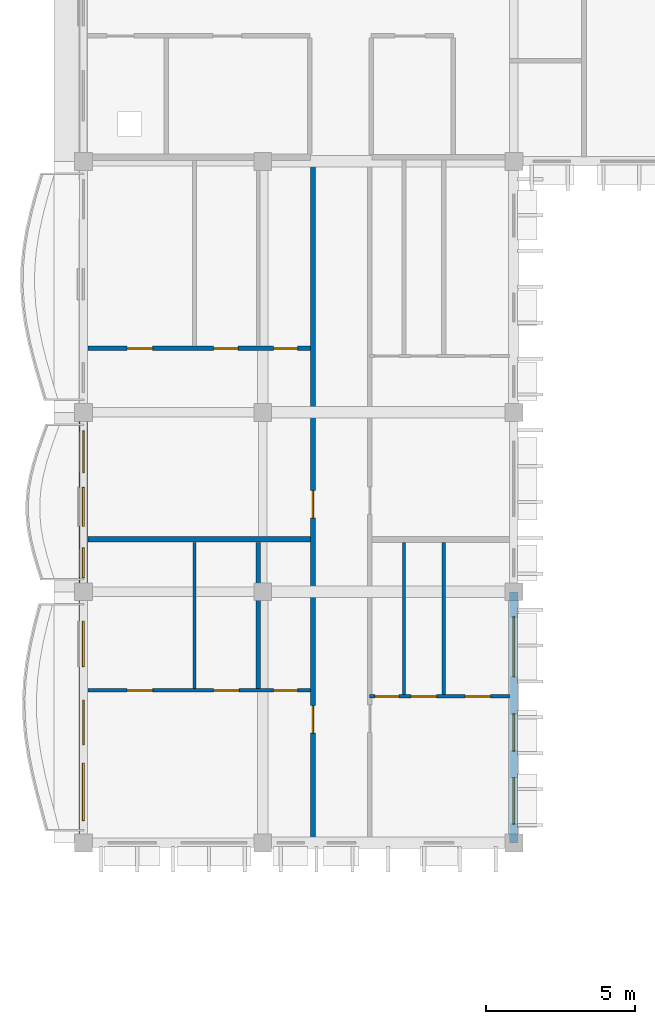
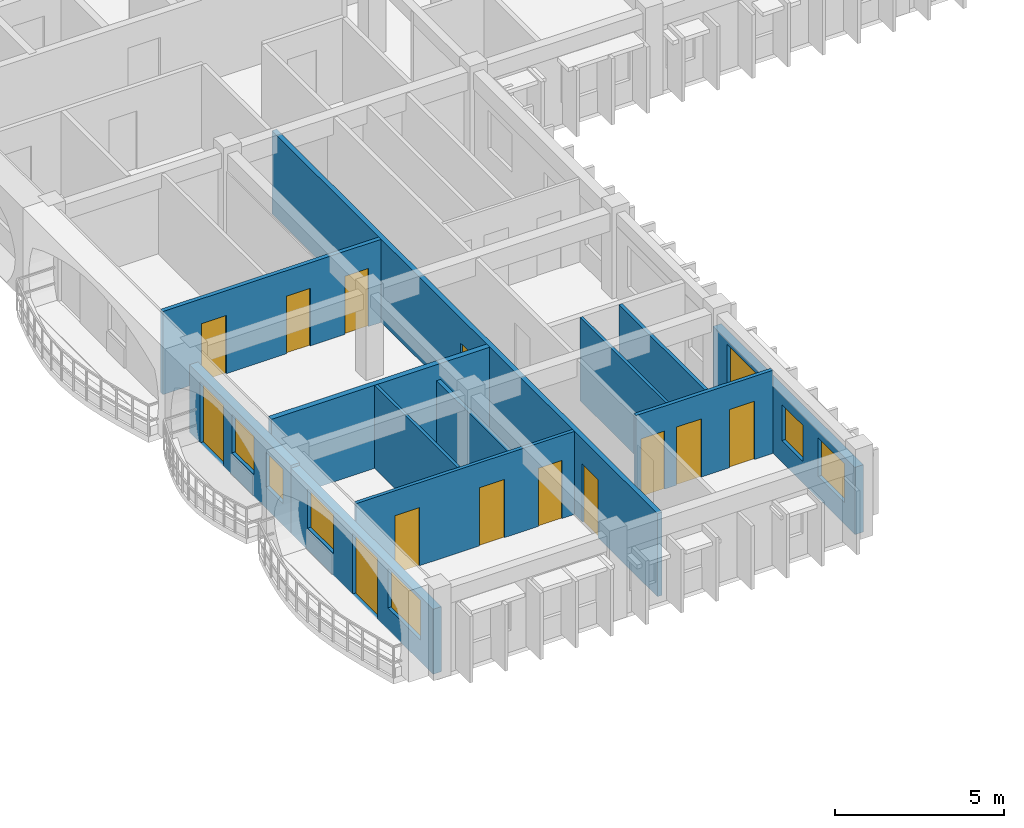
# One storey, part 17 of 59: 13 doors, 12 walls, 7 windows, 20 openings.
"""IFC4 building model written with IfcOpenShell, lengths in metres."""

from ifc_helpers import new_model, si_unit, direction, frame, frame_2d, origin, place, context, subcontext, project, spatial, rectangle, extrude, material, layer, layer_set, type_object, element, fill, save


model = new_model("IFC4")

# Units and contexts
model_context = context("Model", 3, precision=1e-05, world=origin(), true_north=direction((0.0, 1.0)))
body_context = subcontext(model_context, "Body", "Model", "MODEL_VIEW")
ifc_project = project(units=[si_unit("LENGTHUNIT", "METRE"), si_unit("AREAUNIT", "SQUARE_METRE"), si_unit("VOLUMEUNIT", "CUBIC_METRE"), si_unit("PLANEANGLEUNIT", "RADIAN"), si_unit("MASSUNIT", "GRAM", prefix="KILO"), si_unit("THERMODYNAMICTEMPERATUREUNIT", "KELVIN")], contexts=[model_context])

# Site, building, storey
site_placement = place(None, origin())
site = spatial("IfcSite", under=ifc_project, at=site_placement, CompositionType="ELEMENT")
building_placement = place(site_placement, origin())
building = spatial("IfcBuilding", under=site, at=building_placement, Name="Thalorik Housing Commons", CompositionType="ELEMENT")
storey_placement = place(building_placement, frame((0.0, 0.0, 27.89990234375)))
storey = spatial("IfcBuildingStorey", under=building, at=storey_placement, Name="L08", CompositionType="ELEMENT", Elevation=27.89990234375)

# Wall, openings, doors
ifc_material_1 = material(Name="Masonry fire-rated corridor wall", Category="masonry")
ifc_layer_1 = layer(ifc_material_1, 0.1650390625, Name="Masonry fire-rated corridor wall", Category="masonry")
ifc_layer_set_1 = layer_set([ifc_layer_1], Name="Masonry fire-rated corridor wall")
wall_type_1 = type_object("IfcWallType", Name="ARC-WAL-CORR-165", PredefinedType="PARTITIONING", material=ifc_layer_set_1)
wall_1_placement = place(storey_placement, frame((16.080078125, 86.547119140625, 0.0), z_axis=(0.0, 0.0, 1.0), x_axis=(0.0, 1.0, 0.0)))
wall_1 = element("IfcWall", 1, at=wall_1_placement, inside=storey, type_object=wall_type_1, Name="L08 Block A W Corridor Wall 1", PredefinedType="PARTITIONING", context=body_context, shape_type="SweptSolid", body=[
    extrude(rectangle(XDim=22.79296875, YDim=0.1650390625, at=frame_2d((11.396484375, 0.0))), origin(), (0.0, 0.0, 1.0), 3.0),
])
opening_1_placement = place(wall_1_placement, frame((3.52392578125, 0.0, 0.0)))
opening_1 = element("IfcOpeningElement", 2, at=opening_1_placement, cuts=wall_1, Name="Opening ID-0761", PredefinedType="OPENING", context=body_context, shape_type="SweptSolid", body=[
    extrude(rectangle(XDim=0.919921875, YDim=2.10009765625, at=frame_2d((0.4599609375, 1.050048828125))), frame((0.0, 0.092529296875, 0.0), z_axis=(0.0, -1.0, 0.0), x_axis=(1.0, 0.0, 0.0)), (0.0, 0.0, 1.0), 0.18505859375),
])
opening_2_placement = place(wall_1_placement, frame((10.7158203125, 0.0, 0.0)))
opening_2 = element("IfcOpeningElement", 3, at=opening_2_placement, cuts=wall_1, Name="Opening ID-0762", PredefinedType="OPENING", context=body_context, shape_type="SweptSolid", body=[
    extrude(rectangle(XDim=0.919921875, YDim=2.10009765625, at=frame_2d((0.4599609375, 1.050048828125))), frame((0.0, 0.092529296875, 0.0), z_axis=(0.0, -1.0, 0.0), x_axis=(1.0, 0.0, 0.0)), (0.0, 0.0, 1.0), 0.18505859375),
])
ifc_material_2 = material(Name="Solid core hardwood timber", Category="wood")
door_type_1 = type_object("IfcDoorType", Name="ARC-DR-FD30-920", OperationType="NOTDEFINED", PredefinedType="DOOR", material=ifc_material_2)
door_1_placement = place(opening_1_placement, origin())
door_1 = element("IfcDoor", 4, at=door_1_placement, inside=storey, type_object=door_type_1, Name="L08 Flat AW-1A Entrance Door", OperationType="SINGLE_SWING_RIGHT", OverallHeight=2.10009765625, OverallWidth=0.919921875, PredefinedType="DOOR", context=body_context, shape_type="SweptSolid", body=[
    extrude(rectangle(XDim=0.919921875, YDim=2.10009765625, at=frame_2d((0.4599609375, 1.050048828125))), frame((0.0, 0.02490234375, 0.0), z_axis=(0.0, -1.0, 0.0), x_axis=(1.0, 0.0, 0.0)), (0.0, 0.0, 1.0), 0.050048828125),
])
fill(opening_1, door_1)
door_2_placement = place(opening_2_placement, origin())
door_2 = element("IfcDoor", 5, at=door_2_placement, inside=storey, type_object=door_type_1, Name="L08 Flat AW-2A Entrance Door", OperationType="SINGLE_SWING_LEFT", OverallHeight=2.10009765625, OverallWidth=0.919921875, PredefinedType="DOOR", context=body_context, shape_type="SweptSolid", body=[
    extrude(rectangle(XDim=0.919921875, YDim=2.10009765625, at=frame_2d((0.4599609375, 1.050048828125))), frame((0.0, 0.02490234375, 0.0), z_axis=(0.0, -1.0, 0.0), x_axis=(1.0, 0.0, 0.0)), (0.0, 0.0, 1.0), 0.050048828125),
])
fill(opening_2, door_2)

# Wall, openings, door, windows
ifc_material_3 = material(Name="White precast concrete C40/50", Category="concrete")
ifc_layer_2 = layer(ifc_material_3, 0.2900390625, Name="White precast concrete C40/50", Category="concrete")
ifc_layer_set_2 = layer_set([ifc_layer_2], Name="White precast concrete C40/50")
wall_type_2 = type_object("IfcWallType", Name="ARC-WAL-EXT-290", PredefinedType="STANDARD", material=ifc_layer_set_2)
wall_2_placement = place(storey_placement, frame((8.39990234375, 100.800048828125, 0.0), z_axis=(0.0, 0.0, 1.0), x_axis=(0.0, -1.0, 0.0)))
wall_2 = element("IfcWall", 6, at=wall_2_placement, inside=storey, type_object=wall_type_2, Name="L08 Exterior Wall WAL-EXT-L08-A-0228", PredefinedType="STANDARD", context=body_context, shape_type="SweptSolid", body=[
    extrude(rectangle(XDim=6.0, YDim=0.2900390625, at=frame_2d((3.0, 0.0))), origin(), (0.0, 0.0, 1.0), 2.445068359375),
])
opening_3_placement = place(wall_2_placement, frame((0.6201171875, 0.0, 0.0)))
opening_3 = element("IfcOpeningElement", 7, at=opening_3_placement, cuts=wall_2, Name="Opening ED-0073", PredefinedType="OPENING", context=body_context, shape_type="SweptSolid", body=[
    extrude(rectangle(XDim=1.39990234375, YDim=2.199951171875, at=frame_2d((0.699951171875, 1.10009765625))), frame((0.0, 0.155029296875, 0.0), z_axis=(0.0, -1.0, 0.0), x_axis=(1.0, 0.0, 0.0)), (0.0, 0.0, 1.0), 0.31005859375),
])
opening_4_placement = place(wall_2_placement, frame((2.510009765625, 0.0, 0.780029296875)))
opening_4 = element("IfcOpeningElement", 8, at=opening_4_placement, cuts=wall_2, Name="Opening W-06", PredefinedType="OPENING", context=body_context, shape_type="SweptSolid", body=[
    extrude(rectangle(XDim=1.300048828125, YDim=1.39990234375, at=frame_2d((0.64990234375, 0.699951171875))), frame((0.0, 0.155029296875, 0.0), z_axis=(0.0, -1.0, 0.0), x_axis=(1.0, 0.0, 0.0)), (0.0, 0.0, 1.0), 0.31005859375),
])
opening_5_placement = place(wall_2_placement, frame((4.530029296875, 0.0, 0.780029296875)))
opening_5 = element("IfcOpeningElement", 9, at=opening_5_placement, cuts=wall_2, Name="Opening W-02", PredefinedType="OPENING", context=body_context, shape_type="SweptSolid", body=[
    extrude(rectangle(XDim=1.0, YDim=1.25, at=frame_2d((0.5, 0.625))), frame((0.0, 0.155029296875, 0.0), z_axis=(0.0, -1.0, 0.0), x_axis=(1.0, 0.0, 0.0)), (0.0, 0.0, 1.0), 0.31005859375),
])
ifc_material_4 = material(Name="Anodised aluminium and laminated safety glass", Category="aluminium")
door_type_2 = type_object("IfcDoorType", Name="ARC-DR-BAL-1400", OperationType="NOTDEFINED", PredefinedType="DOOR", material=ifc_material_4)
door_3_placement = place(opening_3_placement, frame((1.39990234375, 0.0, 0.0), z_axis=(0.0, 0.0, 1.0), x_axis=(-1.0, 0.0, 0.0)))
door_3 = element("IfcDoor", 10, at=door_3_placement, inside=storey, type_object=door_type_2, Name="L08 Block A Balcony Glazed Door", OperationType="SLIDING_TO_LEFT", OverallHeight=2.199951171875, OverallWidth=1.39990234375, PredefinedType="DOOR", context=body_context, shape_type="SweptSolid", body=[
    extrude(rectangle(XDim=1.39990234375, YDim=2.199951171875, at=frame_2d((0.699951171875, 1.10009765625))), frame((0.0, 0.02490234375, 0.0), z_axis=(0.0, -1.0, 0.0), x_axis=(1.0, 0.0, 0.0)), (0.0, 0.0, 1.0), 0.050048828125),
])
fill(opening_3, door_3)
ifc_material_5 = material(Name="Anodised aluminium and solar-control low-E glass", Category="aluminium")
window_type_1 = type_object("IfcWindowType", Name="ARC-WIN-02", PartitioningType="SINGLE_PANEL", PredefinedType="WINDOW", material=ifc_material_5)
window_1_placement = place(opening_5_placement, origin())
window_1 = element("IfcWindow", 11, at=window_1_placement, inside=storey, type_object=window_type_1, Name="L08 Facade Window 408", OverallHeight=1.25, OverallWidth=1.0, PartitioningType="SINGLE_PANEL", PredefinedType="WINDOW", context=body_context, shape_type="SweptSolid", body=[
    extrude(rectangle(XDim=1.0, YDim=1.25, at=frame_2d((0.5, 0.625))), frame((0.0, 0.030029296875, 0.0), z_axis=(0.0, -1.0, 0.0), x_axis=(1.0, 0.0, 0.0)), (0.0, 0.0, 1.0), 0.06005859375),
])
fill(opening_5, window_1)
window_type_2 = type_object("IfcWindowType", Name="ARC-WIN-06", PartitioningType="SINGLE_PANEL", PredefinedType="WINDOW", material=ifc_material_5)
window_2_placement = place(opening_4_placement, origin())
window_2 = element("IfcWindow", 12, at=window_2_placement, inside=storey, type_object=window_type_2, Name="L08 Facade Window 407", OverallHeight=1.39990234375, OverallWidth=1.300048828125, PartitioningType="SINGLE_PANEL", PredefinedType="WINDOW", context=body_context, shape_type="SweptSolid", body=[
    extrude(rectangle(XDim=1.300048828125, YDim=1.39990234375, at=frame_2d((0.64990234375, 0.699951171875))), frame((0.0, 0.030029296875, 0.0), z_axis=(0.0, -1.0, 0.0), x_axis=(1.0, 0.0, 0.0)), (0.0, 0.0, 1.0), 0.06005859375),
])
fill(opening_4, window_2)

wall_3_placement = place(storey_placement, frame((8.39990234375, 94.800048828125, 0.0), z_axis=(0.0, 0.0, 1.0), x_axis=(0.0, -1.0, 0.0)))
wall_3 = element("IfcWall", 13, at=wall_3_placement, inside=storey, type_object=wall_type_2, Name="L08 Exterior Wall WAL-EXT-L08-A-0229", PredefinedType="STANDARD", context=body_context, shape_type="SweptSolid", body=[
    extrude(rectangle(XDim=8.400146484375, YDim=0.2900390625, at=frame_2d((4.2001953125, 0.0))), origin(), (0.0, 0.0, 1.0), 2.34521484375),
])
opening_6_placement = place(wall_3_placement, frame((3.625, 0.0, 0.0)))
opening_6 = element("IfcOpeningElement", 14, at=opening_6_placement, cuts=wall_3, Name="Opening ED-0074", PredefinedType="OPENING", context=body_context, shape_type="SweptSolid", body=[
    extrude(rectangle(XDim=1.5, YDim=2.199951171875, at=frame_2d((0.75, 1.10009765625))), frame((0.0, 0.155029296875, 0.0), z_axis=(0.0, -1.0, 0.0), x_axis=(1.0, 0.0, 0.0)), (0.0, 0.0, 1.0), 0.31005859375),
])
opening_7_placement = place(wall_3_placement, frame((0.982421875, 0.0, 0.780029296875)))
opening_7 = element("IfcOpeningElement", 15, at=opening_7_placement, cuts=wall_3, Name="Opening W-52", PredefinedType="OPENING", context=body_context, shape_type="SweptSolid", body=[
    extrude(rectangle(XDim=1.52001953125, YDim=1.419921875, at=frame_2d((0.760009765625, 0.7099609375))), frame((0.0, 0.155029296875, 0.0), z_axis=(0.0, -1.0, 0.0), x_axis=(1.0, 0.0, 0.0)), (0.0, 0.0, 1.0), 0.31005859375),
])
opening_8_placement = place(wall_3_placement, frame((5.732421875, 0.0, 0.780029296875)))
opening_8 = element("IfcOpeningElement", 16, at=opening_8_placement, cuts=wall_3, Name="Opening W-60", PredefinedType="OPENING", context=body_context, shape_type="SweptSolid", body=[
    extrude(rectangle(XDim=1.919921875, YDim=1.43994140625, at=frame_2d((0.9599609375, 0.719970703125))), frame((0.0, 0.155029296875, 0.0), z_axis=(0.0, -1.0, 0.0), x_axis=(1.0, 0.0, 0.0)), (0.0, 0.0, 1.0), 0.31005859375),
])
door_type_3 = type_object("IfcDoorType", Name="ARC-DR-BAL-1500", OperationType="NOTDEFINED", PredefinedType="DOOR", material=ifc_material_4)
door_4_placement = place(opening_6_placement, frame((1.5, 0.0, 0.0), z_axis=(0.0, 0.0, 1.0), x_axis=(-1.0, 0.0, 0.0)))
door_4 = element("IfcDoor", 17, at=door_4_placement, inside=storey, type_object=door_type_3, Name="L08 Block A Balcony Glazed Door", OperationType="SLIDING_TO_RIGHT", OverallHeight=2.199951171875, OverallWidth=1.5, PredefinedType="DOOR", context=body_context, shape_type="SweptSolid", body=[
    extrude(rectangle(XDim=1.5, YDim=2.199951171875, at=frame_2d((0.75, 1.10009765625))), frame((0.0, 0.02490234375, 0.0), z_axis=(0.0, -1.0, 0.0), x_axis=(1.0, 0.0, 0.0)), (0.0, 0.0, 1.0), 0.050048828125),
])
fill(opening_6, door_4)
window_type_3 = type_object("IfcWindowType", Name="ARC-WIN-52", PartitioningType="SINGLE_PANEL", PredefinedType="WINDOW", material=ifc_material_5)
window_3_placement = place(opening_7_placement, origin())
window_3 = element("IfcWindow", 18, at=window_3_placement, inside=storey, type_object=window_type_3, Name="L08 Facade Window 409", OverallHeight=1.419921875, OverallWidth=1.52001953125, PartitioningType="SINGLE_PANEL", PredefinedType="WINDOW", context=body_context, shape_type="SweptSolid", body=[
    extrude(rectangle(XDim=1.52001953125, YDim=1.419921875, at=frame_2d((0.760009765625, 0.7099609375))), frame((0.0, 0.030029296875, 0.0), z_axis=(0.0, -1.0, 0.0), x_axis=(1.0, 0.0, 0.0)), (0.0, 0.0, 1.0), 0.06005859375),
])
fill(opening_7, window_3)
window_type_4 = type_object("IfcWindowType", Name="ARC-WIN-60", PartitioningType="DOUBLE_PANEL_VERTICAL", PredefinedType="WINDOW", material=ifc_material_5)
window_4_placement = place(opening_8_placement, origin())
window_4 = element("IfcWindow", 19, at=window_4_placement, inside=storey, type_object=window_type_4, Name="L08 Facade Window 410", OverallHeight=1.43994140625, OverallWidth=1.919921875, PartitioningType="DOUBLE_PANEL_VERTICAL", PredefinedType="WINDOW", context=body_context, shape_type="SweptSolid", body=[
    extrude(rectangle(XDim=1.919921875, YDim=1.43994140625, at=frame_2d((0.9599609375, 0.719970703125))), frame((0.0, 0.030029296875, 0.0), z_axis=(0.0, -1.0, 0.0), x_axis=(1.0, 0.0, 0.0)), (0.0, 0.0, 1.0), 0.06005859375),
])
fill(opening_8, window_4)

# Wall, openings, windows
wall_4_placement = place(storey_placement, frame((22.800048828125, 86.39990234375, 0.0), z_axis=(0.0, 0.0, 1.0), x_axis=(0.0, 1.0, 0.0)))
wall_4 = element("IfcWall", 20, at=wall_4_placement, inside=storey, type_object=wall_type_2, Name="L08 Exterior Wall WAL-EXT-L08-A-0232", PredefinedType="STANDARD", context=body_context, shape_type="SweptSolid", body=[
    extrude(rectangle(XDim=8.400146484375, YDim=0.2900390625, at=frame_2d((4.2001953125, 0.0))), origin(), (0.0, 0.0, 1.0), 2.425048828125),
])
opening_9_placement = place(wall_4_placement, frame((0.62841796875, 0.0, 0.780029296875)))
opening_9 = element("IfcOpeningElement", 21, at=opening_9_placement, cuts=wall_4, Name="Opening W-12", PredefinedType="OPENING", context=body_context, shape_type="SweptSolid", body=[
    extrude(rectangle(XDim=1.550048828125, YDim=1.39990234375, at=frame_2d((0.77490234375, 0.699951171875))), frame((0.0, 0.155029296875, 0.0), z_axis=(0.0, -1.0, 0.0), x_axis=(1.0, 0.0, 0.0)), (0.0, 0.0, 1.0), 0.31005859375),
])
opening_10_placement = place(wall_4_placement, frame((3.06494140625, 0.0, 0.780029296875)))
opening_10 = element("IfcOpeningElement", 22, at=opening_10_placement, cuts=wall_4, Name="Opening W-46", PredefinedType="OPENING", context=body_context, shape_type="SweptSolid", body=[
    extrude(rectangle(XDim=1.25, YDim=1.300048828125, at=frame_2d((0.625, 0.64990234375))), frame((0.0, 0.155029296875, 0.0), z_axis=(0.0, -1.0, 0.0), x_axis=(1.0, 0.0, 0.0)), (0.0, 0.0, 1.0), 0.31005859375),
])
opening_11_placement = place(wall_4_placement, frame((5.556640625, 0.0, 0.780029296875)))
opening_11 = element("IfcOpeningElement", 23, at=opening_11_placement, cuts=wall_4, Name="Opening W-23", PredefinedType="OPENING", context=body_context, shape_type="SweptSolid", body=[
    extrude(rectangle(XDim=2.0, YDim=1.5, at=frame_2d((1.0, 0.75))), frame((0.0, 0.155029296875, 0.0), z_axis=(0.0, -1.0, 0.0), x_axis=(1.0, 0.0, 0.0)), (0.0, 0.0, 1.0), 0.31005859375),
])
window_type_5 = type_object("IfcWindowType", Name="ARC-WIN-12", PartitioningType="SINGLE_PANEL", PredefinedType="WINDOW", material=ifc_material_5)
window_5_placement = place(opening_9_placement, origin())
window_5 = element("IfcWindow", 24, at=window_5_placement, inside=storey, type_object=window_type_5, Name="L08 Facade Window 416", OverallHeight=1.39990234375, OverallWidth=1.550048828125, PartitioningType="SINGLE_PANEL", PredefinedType="WINDOW", context=body_context, shape_type="SweptSolid", body=[
    extrude(rectangle(XDim=1.550048828125, YDim=1.39990234375, at=frame_2d((0.77490234375, 0.699951171875))), frame((0.0, 0.030029296875, 0.0), z_axis=(0.0, -1.0, 0.0), x_axis=(1.0, 0.0, 0.0)), (0.0, 0.0, 1.0), 0.06005859375),
])
fill(opening_9, window_5)
window_type_6 = type_object("IfcWindowType", Name="ARC-WIN-23", PartitioningType="DOUBLE_PANEL_VERTICAL", PredefinedType="WINDOW", material=ifc_material_5)
window_6_placement = place(opening_11_placement, origin())
window_6 = element("IfcWindow", 25, at=window_6_placement, inside=storey, type_object=window_type_6, Name="L08 Facade Window 418", OverallHeight=1.5, OverallWidth=2.0, PartitioningType="DOUBLE_PANEL_VERTICAL", PredefinedType="WINDOW", context=body_context, shape_type="SweptSolid", body=[
    extrude(rectangle(XDim=2.0, YDim=1.5, at=frame_2d((1.0, 0.75))), frame((0.0, 0.030029296875, 0.0), z_axis=(0.0, -1.0, 0.0), x_axis=(1.0, 0.0, 0.0)), (0.0, 0.0, 1.0), 0.06005859375),
])
fill(opening_11, window_6)
window_type_7 = type_object("IfcWindowType", Name="ARC-WIN-46", PartitioningType="SINGLE_PANEL", PredefinedType="WINDOW", material=ifc_material_5)
window_7_placement = place(opening_10_placement, origin())
window_7 = element("IfcWindow", 26, at=window_7_placement, inside=storey, type_object=window_type_7, Name="L08 Facade Window 417", OverallHeight=1.300048828125, OverallWidth=1.25, PartitioningType="SINGLE_PANEL", PredefinedType="WINDOW", context=body_context, shape_type="SweptSolid", body=[
    extrude(rectangle(XDim=1.25, YDim=1.300048828125, at=frame_2d((0.625, 0.64990234375))), frame((0.0, 0.030029296875, 0.0), z_axis=(0.0, -1.0, 0.0), x_axis=(1.0, 0.0, 0.0)), (0.0, 0.0, 1.0), 0.06005859375),
])
fill(opening_10, window_7)

# Walls
ifc_material_6 = material(Name="Gypsum light stud partition", Category="masonry")
ifc_layer_3 = layer(ifc_material_6, 0.10009765625, Name="Gypsum light stud partition", Category="masonry")
ifc_layer_set_3 = layer_set([ifc_layer_3], Name="Gypsum light stud partition")
wall_type_3 = type_object("IfcWallType", Name="ARC-WAL-PART-100", PredefinedType="PARTITIONING", material=ifc_layer_set_3)
wall_5_placement = place(storey_placement, frame((12.11767578125, 91.564453125, 0.0), z_axis=(0.0, 0.0, 1.0), x_axis=(0.0, 1.0, 0.0)))
element("IfcWall", 27, at=wall_5_placement, inside=storey, type_object=wall_type_3, Name="L08 Unit 1 Bedroom Partition", PredefinedType="PARTITIONING", context=body_context, shape_type="SweptSolid", body=[
    extrude(rectangle(XDim=4.89111328125, YDim=0.10009765625, at=frame_2d((2.445556640625, 0.0))), origin(), (0.0, 0.0, 1.0), 3.0),
])
wall_6_placement = place(storey_placement, frame((19.122314453125, 91.36767578125, 0.0), z_axis=(0.0, 0.0, 1.0), x_axis=(0.0, 1.0, 0.0)))
element("IfcWall", 28, at=wall_6_placement, inside=storey, type_object=wall_type_3, Name="L08 Unit 1B Wet Wall", PredefinedType="PARTITIONING", context=body_context, shape_type="SweptSolid", body=[
    extrude(rectangle(XDim=5.080322265625, YDim=0.10009765625, at=frame_2d((2.5400390625, 0.0))), origin(), (0.0, 0.0, 1.0), 3.0),
])

# Wall, openings, doors
ifc_material_7 = material(Name="Gypsum moisture-resistant partition", Category="masonry")
ifc_layer_4 = layer(ifc_material_7, 0.114990234375, Name="Gypsum moisture-resistant partition", Category="masonry")
ifc_layer_set_4 = layer_set([ifc_layer_4], Name="Gypsum moisture-resistant partition")
wall_type_4 = type_object("IfcWallType", Name="ARC-WAL-PART-115", PredefinedType="PARTITIONING", material=ifc_layer_set_4)
wall_7_placement = place(storey_placement, frame((8.547119140625, 91.5048828125, 0.0), z_axis=(0.0, 0.0, 1.0), x_axis=(1.0, 0.0, 0.0)))
wall_7 = element("IfcWall", 29, at=wall_7_placement, inside=storey, type_object=wall_type_4, Name="L08 Unit 1 Spine Partition", PredefinedType="PARTITIONING", context=body_context, shape_type="SweptSolid", body=[
    extrude(rectangle(XDim=7.448486328125, YDim=0.114990234375, at=frame_2d((3.72412109375, 0.0))), origin(), (0.0, 0.0, 1.0), 3.0),
])
opening_12_placement = place(wall_7_placement, frame((1.31689453125, 0.0, 0.0)))
opening_12 = element("IfcOpeningElement", 30, at=opening_12_placement, cuts=wall_7, Name="Opening ID-0749", PredefinedType="OPENING", context=body_context, shape_type="SweptSolid", body=[
    extrude(rectangle(XDim=0.85009765625, YDim=2.10009765625, at=frame_2d((0.425048828125, 1.050048828125))), frame((0.0, 0.0673828125, 0.0), z_axis=(0.0, -1.0, 0.0), x_axis=(1.0, 0.0, 0.0)), (0.0, 0.0, 1.0), 0.135009765625),
])
opening_13_placement = place(wall_7_placement, frame((4.21240234375, 0.0, 0.0)))
opening_13 = element("IfcOpeningElement", 31, at=opening_13_placement, cuts=wall_7, Name="Opening ID-0750", PredefinedType="OPENING", context=body_context, shape_type="SweptSolid", body=[
    extrude(rectangle(XDim=0.85009765625, YDim=2.10009765625, at=frame_2d((0.425048828125, 1.050048828125))), frame((0.0, 0.0673828125, 0.0), z_axis=(0.0, -1.0, 0.0), x_axis=(1.0, 0.0, 0.0)), (0.0, 0.0, 1.0), 0.135009765625),
])
opening_14_placement = place(wall_7_placement, frame((6.218505859375, 0.0, 0.0)))
opening_14 = element("IfcOpeningElement", 32, at=opening_14_placement, cuts=wall_7, Name="Opening ID-0751", PredefinedType="OPENING", context=body_context, shape_type="SweptSolid", body=[
    extrude(rectangle(XDim=0.800048828125, YDim=2.10009765625, at=frame_2d((0.39990234375, 1.050048828125))), frame((0.0, 0.0673828125, 0.0), z_axis=(0.0, -1.0, 0.0), x_axis=(1.0, 0.0, 0.0)), (0.0, 0.0, 1.0), 0.135009765625),
])
ifc_material_8 = material(Name="Moisture-resistant timber", Category="wood")
door_type_4 = type_object("IfcDoorType", Name="ARC-DR-INT-800", OperationType="NOTDEFINED", PredefinedType="DOOR", material=ifc_material_8)
door_5_placement = place(opening_14_placement, origin())
door_5 = element("IfcDoor", 33, at=door_5_placement, inside=storey, type_object=door_type_4, Name="L08 Flat Bathroom Door", OperationType="SINGLE_SWING_RIGHT", OverallHeight=2.10009765625, OverallWidth=0.800048828125, PredefinedType="DOOR", context=body_context, shape_type="SweptSolid", body=[
    extrude(rectangle(XDim=0.800048828125, YDim=2.10009765625, at=frame_2d((0.39990234375, 1.050048828125))), frame((0.0, 0.02490234375, 0.0), z_axis=(0.0, -1.0, 0.0), x_axis=(1.0, 0.0, 0.0)), (0.0, 0.0, 1.0), 0.050048828125),
])
fill(opening_14, door_5)
ifc_material_9 = material(Name="Engineered oak timber", Category="wood")
door_type_5 = type_object("IfcDoorType", Name="ARC-DR-INT-850", OperationType="NOTDEFINED", PredefinedType="DOOR", material=ifc_material_9)
door_6_placement = place(opening_12_placement, origin())
door_6 = element("IfcDoor", 34, at=door_6_placement, inside=storey, type_object=door_type_5, Name="L08 Master Bedroom Door", OperationType="SINGLE_SWING_RIGHT", OverallHeight=2.10009765625, OverallWidth=0.85009765625, PredefinedType="DOOR", context=body_context, shape_type="SweptSolid", body=[
    extrude(rectangle(XDim=0.85009765625, YDim=2.10009765625, at=frame_2d((0.425048828125, 1.050048828125))), frame((0.0, 0.02490234375, 0.0), z_axis=(0.0, -1.0, 0.0), x_axis=(1.0, 0.0, 0.0)), (0.0, 0.0, 1.0), 0.050048828125),
])
fill(opening_12, door_6)
door_7_placement = place(opening_13_placement, origin())
door_7 = element("IfcDoor", 35, at=door_7_placement, inside=storey, type_object=door_type_5, Name="L08 Eat-In Kitchen Door", OperationType="SINGLE_SWING_LEFT", OverallHeight=2.10009765625, OverallWidth=0.85009765625, PredefinedType="DOOR", context=body_context, shape_type="SweptSolid", body=[
    extrude(rectangle(XDim=0.85009765625, YDim=2.10009765625, at=frame_2d((0.425048828125, 1.050048828125))), frame((0.0, 0.02490234375, 0.0), z_axis=(0.0, -1.0, 0.0), x_axis=(1.0, 0.0, 0.0)), (0.0, 0.0, 1.0), 0.050048828125),
])
fill(opening_13, door_7)

# Wall
wall_8_placement = place(storey_placement, frame((20.455078125, 91.36767578125, 0.0), z_axis=(0.0, 0.0, 1.0), x_axis=(0.0, 1.0, 0.0)))
element("IfcWall", 36, at=wall_8_placement, inside=storey, type_object=wall_type_4, Name="L08 Unit 1B Bedroom Partition", PredefinedType="PARTITIONING", context=body_context, shape_type="SweptSolid", body=[
    extrude(rectangle(XDim=5.080322265625, YDim=0.114990234375, at=frame_2d((2.5400390625, 0.0))), origin(), (0.0, 0.0, 1.0), 3.0),
])

# Wall, openings, doors
ifc_material_10 = material(Name="Gypsum acoustic stud partition", Category="masonry")
ifc_layer_5 = layer(ifc_material_10, 0.125, Name="Gypsum acoustic stud partition", Category="masonry")
ifc_layer_set_5 = layer_set([ifc_layer_5], Name="Gypsum acoustic stud partition")
wall_type_5 = type_object("IfcWallType", Name="ARC-WAL-PART-125", PredefinedType="PARTITIONING", material=ifc_layer_set_5)
wall_9_placement = place(storey_placement, frame((17.97998046875, 91.30322265625, 0.0), z_axis=(0.0, 0.0, 1.0), x_axis=(1.0, 0.0, 0.0)))
wall_9 = element("IfcWall", 37, at=wall_9_placement, inside=storey, type_object=wall_type_5, Name="L08 Unit 1B Spine Partition", PredefinedType="PARTITIONING", context=body_context, shape_type="SweptSolid", body=[
    extrude(rectangle(XDim=4.673095703125, YDim=0.125, at=frame_2d((2.33642578125, 0.0))), origin(), (0.0, 0.0, 1.0), 3.0),
])
opening_15_placement = place(wall_9_placement, frame((0.171142578125, 0.0, 0.0)))
opening_15 = element("IfcOpeningElement", 38, at=opening_15_placement, cuts=wall_9, Name="Opening ID-0752", PredefinedType="OPENING", context=body_context, shape_type="SweptSolid", body=[
    extrude(rectangle(XDim=0.800048828125, YDim=2.10009765625, at=frame_2d((0.39990234375, 1.050048828125))), frame((0.0, 0.072509765625, 0.0), z_axis=(0.0, -1.0, 0.0), x_axis=(1.0, 0.0, 0.0)), (0.0, 0.0, 1.0), 0.14501953125),
])
opening_16_placement = place(wall_9_placement, frame((1.3837890625, 0.0, 0.0)))
opening_16 = element("IfcOpeningElement", 39, at=opening_16_placement, cuts=wall_9, Name="Opening ID-0753", PredefinedType="OPENING", context=body_context, shape_type="SweptSolid", body=[
    extrude(rectangle(XDim=0.85009765625, YDim=2.10009765625, at=frame_2d((0.425048828125, 1.050048828125))), frame((0.0, 0.072509765625, 0.0), z_axis=(0.0, -1.0, 0.0), x_axis=(1.0, 0.0, 0.0)), (0.0, 0.0, 1.0), 0.14501953125),
])
opening_17_placement = place(wall_9_placement, frame((3.192626953125, 0.0, 0.0)))
opening_17 = element("IfcOpeningElement", 40, at=opening_17_placement, cuts=wall_9, Name="Opening ID-0754", PredefinedType="OPENING", context=body_context, shape_type="SweptSolid", body=[
    extrude(rectangle(XDim=0.85009765625, YDim=2.10009765625, at=frame_2d((0.425048828125, 1.050048828125))), frame((0.0, 0.072509765625, 0.0), z_axis=(0.0, -1.0, 0.0), x_axis=(1.0, 0.0, 0.0)), (0.0, 0.0, 1.0), 0.14501953125),
])
door_8_placement = place(opening_15_placement, origin())
door_8 = element("IfcDoor", 41, at=door_8_placement, inside=storey, type_object=door_type_4, Name="L08 Flat Bathroom Door", OperationType="SINGLE_SWING_LEFT", OverallHeight=2.10009765625, OverallWidth=0.800048828125, PredefinedType="DOOR", context=body_context, shape_type="SweptSolid", body=[
    extrude(rectangle(XDim=0.800048828125, YDim=2.10009765625, at=frame_2d((0.39990234375, 1.050048828125))), frame((0.0, 0.02490234375, 0.0), z_axis=(0.0, -1.0, 0.0), x_axis=(1.0, 0.0, 0.0)), (0.0, 0.0, 1.0), 0.050048828125),
])
fill(opening_15, door_8)
door_9_placement = place(opening_16_placement, origin())
door_9 = element("IfcDoor", 42, at=door_9_placement, inside=storey, type_object=door_type_5, Name="L08 Galley Kitchen Door", OperationType="SINGLE_SWING_RIGHT", OverallHeight=2.10009765625, OverallWidth=0.85009765625, PredefinedType="DOOR", context=body_context, shape_type="SweptSolid", body=[
    extrude(rectangle(XDim=0.85009765625, YDim=2.10009765625, at=frame_2d((0.425048828125, 1.050048828125))), frame((0.0, 0.02490234375, 0.0), z_axis=(0.0, -1.0, 0.0), x_axis=(1.0, 0.0, 0.0)), (0.0, 0.0, 1.0), 0.050048828125),
])
fill(opening_16, door_9)
door_10_placement = place(opening_17_placement, origin())
door_10 = element("IfcDoor", 43, at=door_10_placement, inside=storey, type_object=door_type_5, Name="L08 Double Bedroom Door", OperationType="SINGLE_SWING_LEFT", OverallHeight=2.10009765625, OverallWidth=0.85009765625, PredefinedType="DOOR", context=body_context, shape_type="SweptSolid", body=[
    extrude(rectangle(XDim=0.85009765625, YDim=2.10009765625, at=frame_2d((0.425048828125, 1.050048828125))), frame((0.0, 0.02490234375, 0.0), z_axis=(0.0, -1.0, 0.0), x_axis=(1.0, 0.0, 0.0)), (0.0, 0.0, 1.0), 0.050048828125),
])
fill(opening_17, door_10)

# Wall
ifc_material_11 = material(Name="Ceramic masonry partition wall", Category="masonry")
ifc_layer_6 = layer(ifc_material_11, 0.139892578125, Name="Ceramic masonry partition wall", Category="masonry")
ifc_layer_set_6 = layer_set([ifc_layer_6], Name="Ceramic masonry partition wall")
wall_type_6 = type_object("IfcWallType", Name="ARC-WAL-PART-140", PredefinedType="PARTITIONING", material=ifc_layer_set_6)
wall_10_placement = place(storey_placement, frame((14.251220703125, 91.564453125, 0.0), z_axis=(0.0, 0.0, 1.0), x_axis=(0.0, 1.0, 0.0)))
element("IfcWall", 44, at=wall_10_placement, inside=storey, type_object=wall_type_6, Name="L08 Unit 1 Wet Wall", PredefinedType="PARTITIONING", context=body_context, shape_type="SweptSolid", body=[
    extrude(rectangle(XDim=4.89111328125, YDim=0.139892578125, at=frame_2d((2.445556640625, 0.0))), origin(), (0.0, 0.0, 1.0), 2.425048828125),
])

# Wall, openings, doors
wall_11_placement = place(storey_placement, frame((8.547119140625, 102.945068359375, 0.0), z_axis=(0.0, 0.0, 1.0), x_axis=(1.0, 0.0, 0.0)))
wall_11 = element("IfcWall", 45, at=wall_11_placement, inside=storey, type_object=wall_type_6, Name="L08 Unit 2 Spine Partition", PredefinedType="PARTITIONING", context=body_context, shape_type="SweptSolid", body=[
    extrude(rectangle(XDim=7.448486328125, YDim=0.139892578125, at=frame_2d((3.72412109375, 0.0))), origin(), (0.0, 0.0, 1.0), 3.0),
])
opening_18_placement = place(wall_11_placement, frame((1.31689453125, 0.0, 0.0)))
opening_18 = element("IfcOpeningElement", 46, at=opening_18_placement, cuts=wall_11, Name="Opening ID-0755", PredefinedType="OPENING", context=body_context, shape_type="SweptSolid", body=[
    extrude(rectangle(XDim=0.85009765625, YDim=2.10009765625, at=frame_2d((0.425048828125, 1.050048828125))), frame((0.0, 0.080078125, 0.0), z_axis=(0.0, -1.0, 0.0), x_axis=(1.0, 0.0, 0.0)), (0.0, 0.0, 1.0), 0.159912109375),
])
opening_19_placement = place(wall_11_placement, frame((4.21240234375, 0.0, 0.0)))
opening_19 = element("IfcOpeningElement", 47, at=opening_19_placement, cuts=wall_11, Name="Opening ID-0756", PredefinedType="OPENING", context=body_context, shape_type="SweptSolid", body=[
    extrude(rectangle(XDim=0.820068359375, YDim=2.080078125, at=frame_2d((0.41015625, 1.0400390625))), frame((0.0, 0.080078125, 0.0), z_axis=(0.0, -1.0, 0.0), x_axis=(1.0, 0.0, 0.0)), (0.0, 0.0, 1.0), 0.159912109375),
])
opening_20_placement = place(wall_11_placement, frame((6.218505859375, 0.0, 0.0)))
opening_20 = element("IfcOpeningElement", 48, at=opening_20_placement, cuts=wall_11, Name="Opening ID-0757", PredefinedType="OPENING", context=body_context, shape_type="SweptSolid", body=[
    extrude(rectangle(XDim=0.800048828125, YDim=2.10009765625, at=frame_2d((0.39990234375, 1.050048828125))), frame((0.0, 0.080078125, 0.0), z_axis=(0.0, -1.0, 0.0), x_axis=(1.0, 0.0, 0.0)), (0.0, 0.0, 1.0), 0.159912109375),
])
door_11_placement = place(opening_20_placement, origin())
door_11 = element("IfcDoor", 49, at=door_11_placement, inside=storey, type_object=door_type_4, Name="L08 Flat Bathroom Door", OperationType="SINGLE_SWING_RIGHT", OverallHeight=2.10009765625, OverallWidth=0.800048828125, PredefinedType="DOOR", context=body_context, shape_type="SweptSolid", body=[
    extrude(rectangle(XDim=0.800048828125, YDim=2.10009765625, at=frame_2d((0.39990234375, 1.050048828125))), frame((0.0, 0.02490234375, 0.0), z_axis=(0.0, -1.0, 0.0), x_axis=(1.0, 0.0, 0.0)), (0.0, 0.0, 1.0), 0.050048828125),
])
fill(opening_20, door_11)
door_type_6 = type_object("IfcDoorType", Name="ARC-DR-INT-820", OperationType="NOTDEFINED", PredefinedType="DOOR", material=ifc_material_9)
door_12_placement = place(opening_19_placement, origin())
door_12 = element("IfcDoor", 50, at=door_12_placement, inside=storey, type_object=door_type_6, Name="L08 Galley Kitchen Door", OperationType="SINGLE_SWING_LEFT", OverallHeight=2.080078125, OverallWidth=0.820068359375, PredefinedType="DOOR", context=body_context, shape_type="SweptSolid", body=[
    extrude(rectangle(XDim=0.820068359375, YDim=2.080078125, at=frame_2d((0.41015625, 1.0400390625))), frame((0.0, 0.02490234375, 0.0), z_axis=(0.0, -1.0, 0.0), x_axis=(1.0, 0.0, 0.0)), (0.0, 0.0, 1.0), 0.050048828125),
])
fill(opening_19, door_12)
door_13_placement = place(opening_18_placement, origin())
door_13 = element("IfcDoor", 51, at=door_13_placement, inside=storey, type_object=door_type_5, Name="L08 Double Bedroom Door", OperationType="SINGLE_SWING_RIGHT", OverallHeight=2.10009765625, OverallWidth=0.85009765625, PredefinedType="DOOR", context=body_context, shape_type="SweptSolid", body=[
    extrude(rectangle(XDim=0.85009765625, YDim=2.10009765625, at=frame_2d((0.425048828125, 1.050048828125))), frame((0.0, 0.02490234375, 0.0), z_axis=(0.0, -1.0, 0.0), x_axis=(1.0, 0.0, 0.0)), (0.0, 0.0, 1.0), 0.050048828125),
])
fill(opening_18, door_13)

# Wall
ifc_material_12 = material(Name="Masonry acoustic blockwork wall", Category="masonry")
ifc_layer_7 = layer(ifc_material_12, 0.18505859375, Name="Masonry acoustic blockwork wall", Category="masonry")
ifc_layer_set_7 = layer_set([ifc_layer_7], Name="Masonry acoustic blockwork wall")
wall_type_7 = type_object("IfcWallType", Name="ARC-WAL-PARTY-185", PredefinedType="PARTITIONING", material=ifc_layer_set_7)
wall_12_placement = place(storey_placement, frame((8.547119140625, 96.550048828125, 0.0), z_axis=(0.0, 0.0, 1.0), x_axis=(1.0, 0.0, 0.0)))
element("IfcWall", 52, at=wall_12_placement, inside=storey, type_object=wall_type_7, Name="L08 Inter-Tenancy Wall 1A", PredefinedType="PARTITIONING", context=body_context, shape_type="SweptSolid", body=[
    extrude(rectangle(XDim=7.448486328125, YDim=0.18505859375, at=frame_2d((3.72412109375, 0.0))), origin(), (0.0, 0.0, 1.0), 3.0),
])

save(model, "model.ifc")
